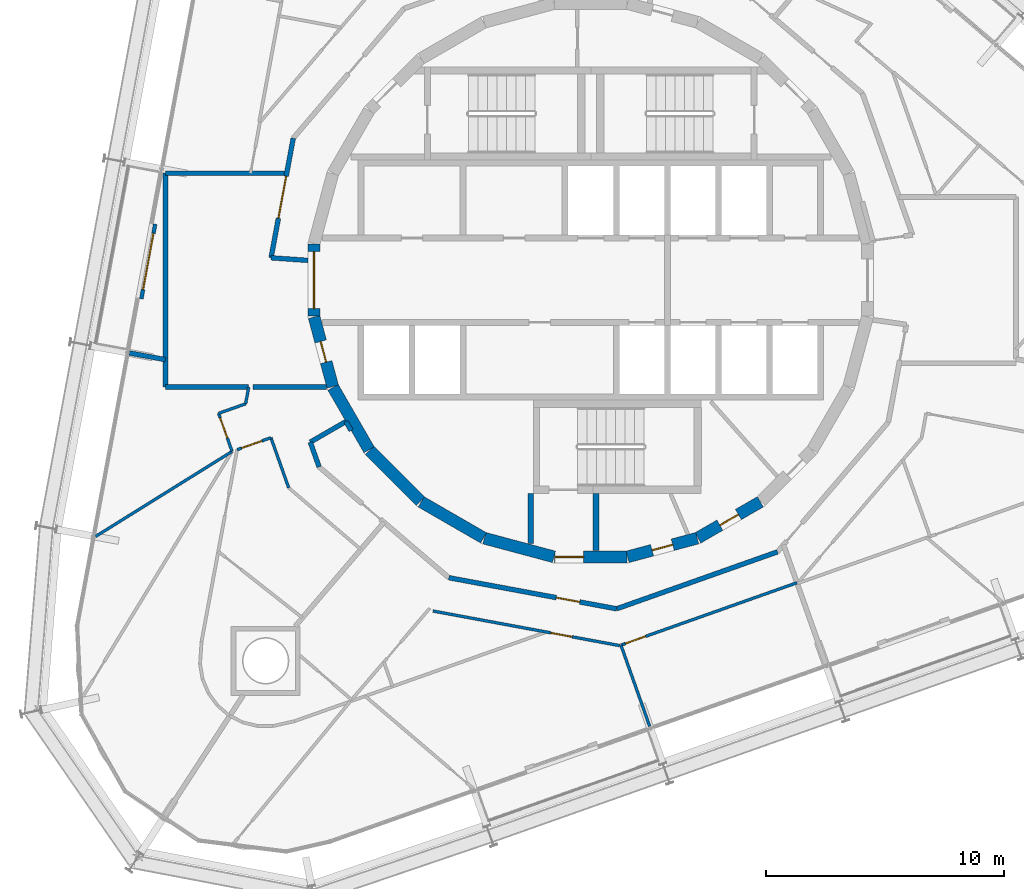
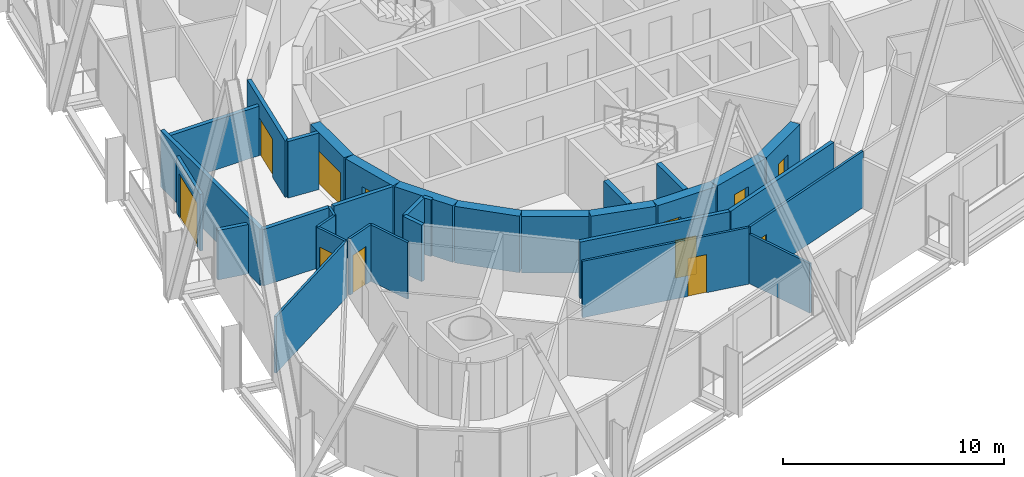
# One storey, part 11 of 17: 33 walls, 12 doors, 12 openings.
"""IFC4 building model written with IfcOpenShell, lengths in metres."""

from ifc_helpers import new_model, si_unit, direction, frame, frame_2d, origin, place, context, subcontext, project, spatial, rectangle, extrude, material, layer, layer_set, type_object, element, fill, save


model = new_model("IFC4")

# Units and contexts
model_context = context("Model", 3, precision=1e-05, world=origin(), true_north=direction((0.0, 1.0)))
body_context = subcontext(model_context, "Body", "Model", "MODEL_VIEW")
ifc_project = project(units=[si_unit("LENGTHUNIT", "METRE"), si_unit("AREAUNIT", "SQUARE_METRE"), si_unit("VOLUMEUNIT", "CUBIC_METRE"), si_unit("PLANEANGLEUNIT", "RADIAN"), si_unit("MASSUNIT", "GRAM", prefix="KILO")], contexts=[model_context])

# Site, building, storey
site_placement = place(None, origin())
site = spatial("IfcSite", under=ifc_project, at=site_placement, CompositionType="ELEMENT")
building_placement = place(site_placement, origin())
building = spatial("IfcBuilding", under=site, at=building_placement, Name="Spindle Arch Residences", CompositionType="ELEMENT")
storey_placement = place(building_placement, frame((0.0, 0.0, 165.699951171875)))
storey = spatial("IfcBuildingStorey", under=building, at=storey_placement, Name="L41", CompositionType="ELEMENT", Elevation=165.699951171875)

# Wall, opening, door
ifc_material_1 = material(Name="Concrete C50/60", Category="concrete")
ifc_layer_1 = layer(ifc_material_1, 0.5)
ifc_layer_set_1 = layer_set([ifc_layer_1], Name="Core outline wall 500")
wall_type_1 = type_object("IfcWallType", Name="Core outline wall 500", PredefinedType="SHEAR", material=ifc_layer_set_1)
wall_1_placement = place(storey_placement, frame((1.5498046875, -11.642822265625, 0.0), z_axis=(0.0, 0.0, 1.0), x_axis=(0.965948410781, 0.258734743916, 0.0)))
wall_1 = element("IfcWall", 1, at=wall_1_placement, inside=storey, type_object=wall_type_1, Name="Core outline wall 1", PredefinedType="SHEAR", context=body_context, shape_type="SweptSolid", body=[
    extrude(rectangle(XDim=3.03271484375, YDim=0.5, at=frame_2d((1.516357421875, 0.0))), origin(), (0.0, 0.0, 1.0), 3.1201171875),
])
opening_1_placement = place(wall_1_placement, frame((1.06640625, 0.0, 0.0)))
opening_1 = element("IfcOpeningElement", 2, at=opening_1_placement, cuts=wall_1, Name="Opening R4B0-WD07", PredefinedType="OPENING", context=body_context, shape_type="SweptSolid", body=[
    extrude(rectangle(XDim=0.89990234375, YDim=2.10009765625, at=frame_2d((0.449951171875, 1.050048828125))), frame((0.0, 0.260009765625, 0.0), z_axis=(0.0, -1.0, 0.0), x_axis=(1.0, 0.0, 0.0)), (0.0, 0.0, 1.0), 0.52001953125),
])
ifc_material_2 = material(Name="Steel, fire-resisting door", Category="steel")
door_type_1 = type_object("IfcDoorType", Name="Service room door 900x2100", OperationType="SINGLE_SWING_LEFT", PredefinedType="DOOR", material=ifc_material_2)
door_1_placement = place(opening_1_placement, origin())
door_1 = element("IfcDoor", 3, at=door_1_placement, inside=storey, type_object=door_type_1, Name="Service room door R4B0-WD07", OperationType="SINGLE_SWING_LEFT", OverallHeight=2.10009765625, OverallWidth=0.89990234375, PredefinedType="DOOR", context=body_context, shape_type="SweptSolid", body=[
    extrude(rectangle(XDim=0.89990234375, YDim=2.10009765625, at=frame_2d((0.449951171875, 1.050048828125))), frame((0.0, 0.02490234375, 0.0), z_axis=(0.0, -1.0, 0.0), x_axis=(1.0, 0.0, 0.0)), (0.0, 0.0, 1.0), 0.050048828125),
])
fill(opening_1, door_1)

wall_2_placement = place(storey_placement, frame((4.510498046875, -10.84521484375, 0.0), z_axis=(0.0, 0.0, 1.0), x_axis=(0.865975092491, 0.500087131594, 0.0)))
wall_2 = element("IfcWall", 4, at=wall_2_placement, inside=storey, type_object=wall_type_1, Name="Core outline wall 2", PredefinedType="SHEAR", context=body_context, shape_type="SweptSolid", body=[
    extrude(rectangle(XDim=3.03271484375, YDim=0.5, at=frame_2d((1.516357421875, 0.0))), origin(), (0.0, 0.0, 1.0), 3.1201171875),
])
opening_2_placement = place(wall_2_placement, frame((1.06640625, 0.0, 0.0)))
opening_2 = element("IfcOpeningElement", 5, at=opening_2_placement, cuts=wall_2, Name="Opening R4B0-WD08", PredefinedType="OPENING", context=body_context, shape_type="SweptSolid", body=[
    extrude(rectangle(XDim=0.89990234375, YDim=2.10009765625, at=frame_2d((0.449951171875, 1.050048828125))), frame((0.0, 0.260009765625, 0.0), z_axis=(0.0, -1.0, 0.0), x_axis=(1.0, 0.0, 0.0)), (0.0, 0.0, 1.0), 0.52001953125),
])
door_2_placement = place(opening_2_placement, origin())
door_2 = element("IfcDoor", 6, at=door_2_placement, inside=storey, type_object=door_type_1, Name="Service room door R4B0-WD08", OperationType="SINGLE_SWING_RIGHT", OverallHeight=2.10009765625, OverallWidth=0.89990234375, PredefinedType="DOOR", context=body_context, shape_type="SweptSolid", body=[
    extrude(rectangle(XDim=0.89990234375, YDim=2.10009765625, at=frame_2d((0.449951171875, 1.050048828125))), frame((0.0, 0.02490234375, 0.0), z_axis=(0.0, -1.0, 0.0), x_axis=(1.0, 0.0, 0.0)), (0.0, 0.0, 1.0), 0.050048828125),
])
fill(opening_2, door_2)

wall_3_placement = place(storey_placement, frame((-11.647216796875, 1.516357421875, 0.0), z_axis=(0.0, 0.0, 1.0), x_axis=(0.0, -1.0, 0.0)))
wall_3 = element("IfcWall", 7, at=wall_3_placement, inside=storey, type_object=wall_type_1, Name="Core outline wall 18", PredefinedType="SHEAR", context=body_context, shape_type="SweptSolid", body=[
    extrude(rectangle(XDim=3.03271484375, YDim=0.5, at=frame_2d((1.516357421875, 0.0))), origin(), (0.0, 0.0, 1.0), 3.1201171875),
])
opening_3_placement = place(wall_3_placement, frame((0.31640625, 0.0, 0.0)))
opening_3 = element("IfcOpeningElement", 8, at=opening_3_placement, cuts=wall_3, Name="Opening R4B0-LE01", PredefinedType="OPENING", context=body_context, shape_type="SweptSolid", body=[
    extrude(rectangle(XDim=2.39990234375, YDim=2.10009765625, at=frame_2d((1.199951171875, 1.050048828125))), frame((0.0, 0.260009765625, 0.0), z_axis=(0.0, -1.0, 0.0), x_axis=(1.0, 0.0, 0.0)), (0.0, 0.0, 1.0), 0.52001953125),
])
ifc_material_3 = material(Name="Steel, fire-resisting door", Category="steel")
door_type_2 = type_object("IfcDoorType", Name="Lift lobby entrance door 2400x2100", OperationType="DOUBLE_DOOR_SINGLE_SWING", PredefinedType="DOOR", material=ifc_material_3)
door_3_placement = place(opening_3_placement, origin())
door_3 = element("IfcDoor", 9, at=door_3_placement, inside=storey, type_object=door_type_2, Name="Lift lobby entrance door R4B0-LE01", OperationType="DOUBLE_DOOR_SINGLE_SWING", OverallHeight=2.10009765625, OverallWidth=2.39990234375, PredefinedType="DOOR", context=body_context, shape_type="SweptSolid", body=[
    extrude(rectangle(XDim=2.39990234375, YDim=2.10009765625, at=frame_2d((1.199951171875, 1.050048828125))), frame((0.0, 0.02490234375, 0.0), z_axis=(0.0, -1.0, 0.0), x_axis=(1.0, 0.0, 0.0)), (0.0, 0.0, 1.0), 0.050048828125),
])
fill(opening_3, door_3)

wall_4_placement = place(storey_placement, frame((-11.642822265625, -1.5498046875, 0.0), z_axis=(0.0, 0.0, 1.0), x_axis=(0.258734743916, -0.965948410781, 0.0)))
wall_4 = element("IfcWall", 10, at=wall_4_placement, inside=storey, type_object=wall_type_1, Name="Core outline wall 19", PredefinedType="SHEAR", context=body_context, shape_type="SweptSolid", body=[
    extrude(rectangle(XDim=3.03271484375, YDim=0.5, at=frame_2d((1.516357421875, 0.0))), origin(), (0.0, 0.0, 1.0), 3.1201171875),
])
opening_4_placement = place(wall_4_placement, frame((1.06640625, 0.0, 0.0)))
opening_4 = element("IfcOpeningElement", 11, at=opening_4_placement, cuts=wall_4, Name="Opening R4B0-WD09", PredefinedType="OPENING", context=body_context, shape_type="SweptSolid", body=[
    extrude(rectangle(XDim=0.89990234375, YDim=2.10009765625, at=frame_2d((0.449951171875, 1.050048828125))), frame((0.0, 0.260009765625, 0.0), z_axis=(0.0, -1.0, 0.0), x_axis=(1.0, 0.0, 0.0)), (0.0, 0.0, 1.0), 0.52001953125),
])
door_4_placement = place(opening_4_placement, origin())
door_4 = element("IfcDoor", 12, at=door_4_placement, inside=storey, type_object=door_type_1, Name="Service room door R4B0-WD09", OperationType="SINGLE_SWING_LEFT", OverallHeight=2.10009765625, OverallWidth=0.89990234375, PredefinedType="DOOR", context=body_context, shape_type="SweptSolid", body=[
    extrude(rectangle(XDim=0.89990234375, YDim=2.10009765625, at=frame_2d((0.449951171875, 1.050048828125))), frame((0.0, 0.02490234375, 0.0), z_axis=(0.0, -1.0, 0.0), x_axis=(1.0, 0.0, 0.0)), (0.0, 0.0, 1.0), 0.050048828125),
])
fill(opening_4, door_4)

# Walls
wall_5_placement = place(storey_placement, frame((-10.84521484375, -4.510498046875, 0.0), z_axis=(0.0, 0.0, 1.0), x_axis=(0.500087131594, -0.865975092491, 0.0)))
element("IfcWall", 13, at=wall_5_placement, inside=storey, type_object=wall_type_1, Name="Core outline wall 20", PredefinedType="SHEAR", context=body_context, shape_type="SweptSolid", body=[
    extrude(rectangle(XDim=3.03271484375, YDim=0.5, at=frame_2d((1.516357421875, 0.0))), origin(), (0.0, 0.0, 1.0), 3.1201171875),
])
wall_6_placement = place(storey_placement, frame((-9.30810546875, -7.163818359375, 0.0), z_axis=(0.0, 0.0, 1.0), x_axis=(0.707106781187, -0.707106781187, 0.0)))
element("IfcWall", 14, at=wall_6_placement, inside=storey, type_object=wall_type_1, Name="Core outline wall 21", PredefinedType="SHEAR", context=body_context, shape_type="SweptSolid", body=[
    extrude(rectangle(XDim=3.032470703125, YDim=0.5, at=frame_2d((1.51611328125, 0.0))), origin(), (0.0, 0.0, 1.0), 3.1201171875),
])
for number, where, z_axis, x_axis, name in (
    (15, (-7.13671875, -9.32861328125, 0.0), (0.0, 0.0, 1.0), (0.865975092491, -0.500087131594, 0.0), "Core outline wall 22"),
    (16, (-4.479248046875, -10.858154296875, 0.0), (0.0, 0.0, 1.0), (0.965948410781, -0.258734743916, 0.0), "Core outline wall 23"),
):
    element("IfcWall", number, at=place(storey_placement, frame(where, z_axis=z_axis, x_axis=x_axis)), inside=storey, type_object=wall_type_1, Name=name, PredefinedType="SHEAR", context=body_context, shape_type="SweptSolid", body=[
        extrude(rectangle(XDim=3.03271484375, YDim=0.5, at=frame_2d((1.516357421875, 0.0))), origin(), (0.0, 0.0, 1.0), 3.1201171875),
    ])

# Wall, opening, door
wall_7_placement = place(storey_placement, frame((-1.516357421875, -11.647216796875, 0.0), z_axis=(0.0, 0.0, 1.0), x_axis=(1.0, 0.0, 0.0)))
wall_7 = element("IfcWall", 17, at=wall_7_placement, inside=storey, type_object=wall_type_1, Name="Core outline wall 24", PredefinedType="SHEAR", context=body_context, shape_type="SweptSolid", body=[
    extrude(rectangle(XDim=3.03271484375, YDim=0.5, at=frame_2d((1.516357421875, 0.0))), origin(), (0.0, 0.0, 1.0), 3.1201171875),
])
opening_5_placement = place(wall_7_placement, frame((0.016357421875, 0.0, 0.0)))
opening_5 = element("IfcOpeningElement", 18, at=opening_5_placement, cuts=wall_7, Name="Opening R4B0-AD03", PredefinedType="OPENING", context=body_context, shape_type="SweptSolid", body=[
    extrude(rectangle(XDim=1.199951171875, YDim=2.10009765625, at=frame_2d((0.60009765625, 1.050048828125))), frame((0.0, 0.260009765625, 0.0), z_axis=(0.0, -1.0, 0.0), x_axis=(1.0, 0.0, 0.0)), (0.0, 0.0, 1.0), 0.52001953125),
])
ifc_material_4 = material(Name="Steel, fire-resisting door", Category="steel")
door_type_3 = type_object("IfcDoorType", Name="Stair airlock door 1200x2100", OperationType="SINGLE_SWING_LEFT", PredefinedType="DOOR", material=ifc_material_4)
door_5_placement = place(opening_5_placement, origin())
door_5 = element("IfcDoor", 19, at=door_5_placement, inside=storey, type_object=door_type_3, Name="Stair airlock door R4B0-AD03", OperationType="SINGLE_SWING_RIGHT", OverallHeight=2.10009765625, OverallWidth=1.199951171875, PredefinedType="DOOR", context=body_context, shape_type="SweptSolid", body=[
    extrude(rectangle(XDim=1.199951171875, YDim=2.10009765625, at=frame_2d((0.60009765625, 1.050048828125))), frame((0.0, 0.02490234375, 0.0), z_axis=(0.0, -1.0, 0.0), x_axis=(1.0, 0.0, 0.0)), (0.0, 0.0, 1.0), 0.050048828125),
])
fill(opening_5, door_5)

# Walls
ifc_material_5 = material(Name="Calcium silicate block, plastered")
ifc_layer_2 = layer(ifc_material_5, 0.199951171875)
ifc_layer_set_2 = layer_set([ifc_layer_2], Name="Corridor wall 200")
wall_type_2 = type_object("IfcWallType", Name="Corridor wall 200", PredefinedType="STANDARD", material=ifc_layer_set_2)
wall_8_placement = place(storey_placement, frame((-10.303466796875, -5.94873046875, 0.0), z_axis=(0.0, 0.0, 1.0), x_axis=(-0.866021168401, -0.500007335828, 0.0)))
element("IfcWall", 20, at=wall_8_placement, inside=storey, type_object=wall_type_2, Name="Corridor wall R4B0-W014", PredefinedType="STANDARD", context=body_context, shape_type="SweptSolid", body=[
    extrude(rectangle(XDim=1.73095703125, YDim=0.199951171875, at=frame_2d((0.865478515625, 0.0))), origin(), (0.0, 0.0, 1.0), 3.1201171875),
])
wall_9_placement = place(storey_placement, frame((-11.802490234375, -6.814208984375, 0.0), z_axis=(0.0, 0.0, 1.0), x_axis=(0.333904297771, -0.942606980629, 0.0)))
element("IfcWall", 21, at=wall_9_placement, inside=storey, type_object=wall_type_2, Name="Corridor wall R4B0-W015", PredefinedType="STANDARD", context=body_context, shape_type="SweptSolid", body=[
    extrude(rectangle(XDim=1.10693359375, YDim=0.199951171875, at=frame_2d((0.553466796875, 0.0))), origin(), (0.0, 0.0, 1.0), 3.1201171875),
])
wall_10_placement = place(storey_placement, frame((-10.303466796875, -5.94873046875, 0.0), z_axis=(0.0, 0.0, 1.0), x_axis=(0.499980071345, -0.866036909293, 0.0)))
element("IfcWall", 22, at=wall_10_placement, inside=storey, type_object=wall_type_2, Name="Corridor wall R4B0-W017", PredefinedType="STANDARD", context=body_context, shape_type="SweptSolid", body=[
    extrude(rectangle(XDim=0.4375, YDim=0.199951171875, at=frame_2d((0.21875, 0.0))), origin(), (0.0, 0.0, 1.0), 3.1201171875),
])

# Wall, opening, door
wall_11_placement = place(storey_placement, frame((-5.972412109375, -12.521240234375, 0.0), z_axis=(0.0, 0.0, 1.0), x_axis=(0.983256068163, -0.18222926335, 0.0)))
wall_11 = element("IfcWall", 23, at=wall_11_placement, inside=storey, type_object=wall_type_2, Name="Corridor wall R4B0-W018", PredefinedType="STANDARD", context=body_context, shape_type="SweptSolid", body=[
    extrude(rectangle(XDim=7.180908203125, YDim=0.199951171875, at=frame_2d((3.59033203125, 0.0))), origin(), (0.0, 0.0, 1.0), 3.1201171875),
])
opening_6_placement = place(wall_11_placement, frame((4.60009765625, 0.0, 0.0)))
opening_6 = element("IfcOpeningElement", 24, at=opening_6_placement, cuts=wall_11, Name="Opening R4B0-FD05", PredefinedType="OPENING", context=body_context, shape_type="SweptSolid", body=[
    extrude(rectangle(XDim=1.0, YDim=2.10009765625, at=frame_2d((0.5, 1.050048828125))), frame((0.0, 0.10986328125, 0.0), z_axis=(0.0, -1.0, 0.0), x_axis=(1.0, 0.0, 0.0)), (0.0, 0.0, 1.0), 0.219970703125),
])
ifc_material_6 = material(Name="Timber, fire-resisting door set", Category="wood")
door_type_4 = type_object("IfcDoorType", Name="Flat entrance door 1000x2100", OperationType="NOTDEFINED", PredefinedType="DOOR", material=ifc_material_6)
door_6_placement = place(opening_6_placement, origin())
door_6 = element("IfcDoor", 25, at=door_6_placement, inside=storey, type_object=door_type_4, Name="Flat entrance door R4B0-FD05", OperationType="SINGLE_SWING_LEFT", OverallHeight=2.10009765625, OverallWidth=1.0, PredefinedType="DOOR", context=body_context, shape_type="SweptSolid", body=[
    extrude(rectangle(XDim=1.0, YDim=2.10009765625, at=frame_2d((0.5, 1.050048828125))), frame((0.0, 0.02490234375, 0.0), z_axis=(0.0, -1.0, 0.0), x_axis=(1.0, 0.0, 0.0)), (0.0, 0.0, 1.0), 0.050048828125),
])
fill(opening_6, door_6)

# Walls
wall_12_placement = place(storey_placement, frame((1.08837890625, -13.829833984375, 0.0), z_axis=(0.0, 0.0, 1.0), x_axis=(0.942648397945, 0.333787354241, 0.0)))
element("IfcWall", 26, at=wall_12_placement, inside=storey, type_object=wall_type_2, Name="Corridor wall R4B0-W019", PredefinedType="STANDARD", context=body_context, shape_type="SweptSolid", body=[
    extrude(rectangle(XDim=7.18115234375, YDim=0.199951171875, at=frame_2d((3.590576171875, 0.0))), origin(), (0.0, 0.0, 1.0), 3.1201171875),
])
ifc_material_7 = material(Name="Plasterboard on steel studs", Category="steel")
ifc_layer_3 = layer(ifc_material_7, 0.1201171875)
ifc_layer_set_3 = layer_set([ifc_layer_3], Name="Flat partition 120")
wall_type_3 = type_object("IfcWallType", Name="Flat partition 120", PredefinedType="PARTITIONING", material=ifc_layer_set_3)
wall_13_placement = place(storey_placement, frame((-14.39404296875, -4.5, 0.0), z_axis=(0.0, 0.0, 1.0), x_axis=(-0.182101494457, -0.983279739299, 0.0)))
element("IfcWall", 27, at=wall_13_placement, inside=storey, type_object=wall_type_3, Name="Flat partition R4B0-W084", PredefinedType="PARTITIONING", context=body_context, shape_type="SweptSolid", body=[
    extrude(rectangle(XDim=0.714599609375, YDim=0.1201171875, at=frame_2d((0.357421875, 0.0))), origin(), (0.0, 0.0, 1.0), 3.1201171875),
])
wall_14_placement = place(storey_placement, frame((-14.524169921875, -5.20263671875, 0.0), z_axis=(0.0, 0.0, 1.0), x_axis=(-0.942657704592, -0.333761070187, 0.0)))
element("IfcWall", 28, at=wall_14_placement, inside=storey, type_object=wall_type_3, Name="Flat partition R4B0-W085", PredefinedType="PARTITIONING", context=body_context, shape_type="SweptSolid", body=[
    extrude(rectangle(XDim=1.207763671875, YDim=0.1201171875, at=frame_2d((0.60400390625, 0.0))), origin(), (0.0, 0.0, 1.0), 3.1201171875),
])

# Wall, opening, door
wall_15_placement = place(storey_placement, frame((-15.66259765625, -5.605712890625, 0.0), z_axis=(0.0, 0.0, 1.0), x_axis=(0.333751436931, -0.942661115325, 0.0)))
wall_15 = element("IfcWall", 29, at=wall_15_placement, inside=storey, type_object=wall_type_3, Name="Flat partition R4B0-W086", PredefinedType="PARTITIONING", context=body_context, shape_type="SweptSolid", body=[
    extrude(rectangle(XDim=1.699951171875, YDim=0.1201171875, at=frame_2d((0.85009765625, 0.0))), origin(), (0.0, 0.0, 1.0), 3.1201171875),
])
opening_7_placement = place(wall_15_placement, frame((0.199951171875, 0.0, 0.0)))
opening_7 = element("IfcOpeningElement", 30, at=opening_7_placement, cuts=wall_15, Name="Opening R4B0-ID17", PredefinedType="OPENING", context=body_context, shape_type="SweptSolid", body=[
    extrude(rectangle(XDim=0.89990234375, YDim=2.10009765625, at=frame_2d((0.449951171875, 1.050048828125))), frame((0.0, 0.070068359375, 0.0), z_axis=(0.0, -1.0, 0.0), x_axis=(1.0, 0.0, 0.0)), (0.0, 0.0, 1.0), 0.14013671875),
])
ifc_material_8 = material(Name="Timber door set", Category="wood")
door_type_5 = type_object("IfcDoorType", Name="Room door 900x2100", OperationType="NOTDEFINED", PredefinedType="DOOR", material=ifc_material_8)
door_7_placement = place(opening_7_placement, origin())
door_7 = element("IfcDoor", 31, at=door_7_placement, inside=storey, type_object=door_type_5, Name="Room door R4B0-ID17", OperationType="SINGLE_SWING_RIGHT", OverallHeight=2.10009765625, OverallWidth=0.89990234375, PredefinedType="DOOR", context=body_context, shape_type="SweptSolid", body=[
    extrude(rectangle(XDim=0.89990234375, YDim=2.10009765625, at=frame_2d((0.449951171875, 1.050048828125))), frame((0.0, 0.02490234375, 0.0), z_axis=(0.0, -1.0, 0.0), x_axis=(1.0, 0.0, 0.0)), (0.0, 0.0, 1.0), 0.050048828125),
])
fill(opening_7, door_7)

wall_16_placement = place(storey_placement, frame((-14.882080078125, -7.1328125, 0.0), z_axis=(0.0, 0.0, 1.0), x_axis=(0.942631466676, 0.333835165961, 0.0)))
wall_16 = element("IfcWall", 32, at=wall_16_placement, inside=storey, type_object=wall_type_3, Name="Flat partition R4B0-W087", PredefinedType="PARTITIONING", context=body_context, shape_type="SweptSolid", body=[
    extrude(rectangle(XDim=1.509521484375, YDim=0.1201171875, at=frame_2d((0.7548828125, 0.0))), origin(), (0.0, 0.0, 1.0), 3.1201171875),
])
opening_8_placement = place(wall_16_placement, frame((0.199951171875, 0.0, 0.0)))
opening_8 = element("IfcOpeningElement", 33, at=opening_8_placement, cuts=wall_16, Name="Opening R4B0-ID18", PredefinedType="OPENING", context=body_context, shape_type="SweptSolid", body=[
    extrude(rectangle(XDim=0.89990234375, YDim=2.10009765625, at=frame_2d((0.449951171875, 1.050048828125))), frame((0.0, 0.070068359375, 0.0), z_axis=(0.0, -1.0, 0.0), x_axis=(1.0, 0.0, 0.0)), (0.0, 0.0, 1.0), 0.14013671875),
])
door_8_placement = place(opening_8_placement, origin())
door_8 = element("IfcDoor", 34, at=door_8_placement, inside=storey, type_object=door_type_5, Name="Room door R4B0-ID18", OperationType="SINGLE_SWING_LEFT", OverallHeight=2.10009765625, OverallWidth=0.89990234375, PredefinedType="DOOR", context=body_context, shape_type="SweptSolid", body=[
    extrude(rectangle(XDim=0.89990234375, YDim=2.10009765625, at=frame_2d((0.449951171875, 1.050048828125))), frame((0.0, 0.02490234375, 0.0), z_axis=(0.0, -1.0, 0.0), x_axis=(1.0, 0.0, 0.0)), (0.0, 0.0, 1.0), 0.050048828125),
])
fill(opening_8, door_8)

# Walls
wall_17_placement = place(storey_placement, frame((-13.459228515625, -6.62890625, 0.0), z_axis=(0.0, 0.0, 1.0), x_axis=(0.333790565501, -0.942647260847, 0.0)))
element("IfcWall", 35, at=wall_17_placement, inside=storey, type_object=wall_type_3, Name="Flat partition R4B0-W088", PredefinedType="PARTITIONING", context=body_context, shape_type="SweptSolid", body=[
    extrude(rectangle(XDim=2.236572265625, YDim=0.1201171875, at=frame_2d((1.1181640625, 0.0))), origin(), (0.0, 0.0, 1.0), 3.1201171875),
])
wall_18_placement = place(storey_placement, frame((-20.8486328125, -10.79150390625, 0.0), z_axis=(0.0, 0.0, 1.0), x_axis=(0.848835001009, 0.528657867682, 0.0)))
element("IfcWall", 36, at=wall_18_placement, inside=storey, type_object=wall_type_3, Name="Flat partition R4B0-W090", PredefinedType="PARTITIONING", context=body_context, shape_type="SweptSolid", body=[
    extrude(rectangle(XDim=6.778076171875, YDim=0.1201171875, at=frame_2d((3.38916015625, 0.0))), origin(), (0.0, 0.0, 1.0), 3.1201171875),
])

# Wall, opening, door
wall_19_placement = place(storey_placement, frame((-6.640869140625, -13.9228515625, 0.0), z_axis=(0.0, 0.0, 1.0), x_axis=(0.983250157272, -0.182261153912, 0.0)))
wall_19 = element("IfcWall", 37, at=wall_19_placement, inside=storey, type_object=wall_type_3, Name="Flat partition R4B0-W101", PredefinedType="PARTITIONING", context=body_context, shape_type="SweptSolid", body=[
    extrude(rectangle(XDim=7.98486328125, YDim=0.1201171875, at=frame_2d((3.992431640625, 0.0))), origin(), (0.0, 0.0, 1.0), 3.1201171875),
])
opening_9_placement = place(wall_19_placement, frame((5.05078125, 0.0, 0.0)))
opening_9 = element("IfcOpeningElement", 38, at=opening_9_placement, cuts=wall_19, Name="Opening R4B0-ID22", PredefinedType="OPENING", context=body_context, shape_type="SweptSolid", body=[
    extrude(rectangle(XDim=0.89990234375, YDim=2.10009765625, at=frame_2d((0.449951171875, 1.050048828125))), frame((0.0, 0.070068359375, 0.0), z_axis=(0.0, -1.0, 0.0), x_axis=(1.0, 0.0, 0.0)), (0.0, 0.0, 1.0), 0.14013671875),
])
door_9_placement = place(opening_9_placement, origin())
door_9 = element("IfcDoor", 39, at=door_9_placement, inside=storey, type_object=door_type_5, Name="Room door R4B0-ID22", OperationType="SINGLE_SWING_LEFT", OverallHeight=2.10009765625, OverallWidth=0.89990234375, PredefinedType="DOOR", context=body_context, shape_type="SweptSolid", body=[
    extrude(rectangle(XDim=0.89990234375, YDim=2.10009765625, at=frame_2d((0.449951171875, 1.050048828125))), frame((0.0, 0.02490234375, 0.0), z_axis=(0.0, -1.0, 0.0), x_axis=(1.0, 0.0, 0.0)), (0.0, 0.0, 1.0), 0.050048828125),
])
fill(opening_9, door_9)

wall_20_placement = place(storey_placement, frame((1.26904296875, -15.357177734375, 0.0), z_axis=(0.0, 0.0, 1.0), x_axis=(0.942639442898, 0.333812643101, 0.0)))
wall_20 = element("IfcWall", 40, at=wall_20_placement, inside=storey, type_object=wall_type_3, Name="Flat partition R4B0-W102", PredefinedType="PARTITIONING", context=body_context, shape_type="SweptSolid", body=[
    extrude(rectangle(XDim=7.860107421875, YDim=0.1201171875, at=frame_2d((3.93017578125, 0.0))), origin(), (0.0, 0.0, 1.0), 3.1201171875),
])
opening_10_placement = place(wall_20_placement, frame((0.199951171875, 0.0, 0.0)))
opening_10 = element("IfcOpeningElement", 41, at=opening_10_placement, cuts=wall_20, Name="Opening R4B0-ID23", PredefinedType="OPENING", context=body_context, shape_type="SweptSolid", body=[
    extrude(rectangle(XDim=0.89990234375, YDim=2.10009765625, at=frame_2d((0.449951171875, 1.050048828125))), frame((0.0, 0.070068359375, 0.0), z_axis=(0.0, -1.0, 0.0), x_axis=(1.0, 0.0, 0.0)), (0.0, 0.0, 1.0), 0.14013671875),
])
door_10_placement = place(opening_10_placement, origin())
door_10 = element("IfcDoor", 42, at=door_10_placement, inside=storey, type_object=door_type_5, Name="Room door R4B0-ID23", OperationType="SINGLE_SWING_LEFT", OverallHeight=2.10009765625, OverallWidth=0.89990234375, PredefinedType="DOOR", context=body_context, shape_type="SweptSolid", body=[
    extrude(rectangle(XDim=0.89990234375, YDim=2.10009765625, at=frame_2d((0.449951171875, 1.050048828125))), frame((0.0, 0.02490234375, 0.0), z_axis=(0.0, -1.0, 0.0), x_axis=(1.0, 0.0, 0.0)), (0.0, 0.0, 1.0), 0.050048828125),
])
fill(opening_10, door_10)

# Walls
ifc_material_9 = material(Name="Plasterboard on steel studs", Category="steel")
ifc_layer_4 = layer(ifc_material_9, 0.1201171875)
ifc_layer_set_4 = layer_set([ifc_layer_4], Name="Flat partition 120 under beam 2730")
wall_type_4 = type_object("IfcWallType", Name="Flat partition 120 under beam 2730", PredefinedType="PARTITIONING", material=ifc_layer_set_4)
wall_21_placement = place(storey_placement, frame((2.481689453125, -18.78173828125, 0.0), z_axis=(0.0, 0.0, 1.0), x_axis=(-0.33379364943, 0.942646168825, 0.0)))
element("IfcWall", 43, at=wall_21_placement, inside=storey, type_object=wall_type_4, Name="Flat partition R4B0-W111", PredefinedType="PARTITIONING", context=body_context, shape_type="SweptSolid", body=[
    extrude(rectangle(XDim=3.6328125, YDim=0.1201171875, at=frame_2d((1.81640625, 0.0))), origin(), (0.0, 0.0, 1.0), 2.72998046875),
])
ifc_material_10 = material(Name="Calcium silicate block, plastered")
ifc_layer_5 = layer(ifc_material_10, 0.199951171875)
ifc_layer_set_5 = layer_set([ifc_layer_5], Name="Flat party wall 200 under beam 2730")
wall_type_5 = type_object("IfcWallType", Name="Flat party wall 200 under beam 2730", PredefinedType="STANDARD", material=ifc_layer_set_5)
wall_22_placement = place(storey_placement, frame((-19.416259765625, -3.06298828125, 0.0), z_axis=(0.0, 0.0, 1.0), x_axis=(0.983258901558, -0.182213974512, 0.0)))
element("IfcWall", 44, at=wall_22_placement, inside=storey, type_object=wall_type_5, Name="Flat party wall R4B0-W034", PredefinedType="STANDARD", context=body_context, shape_type="SweptSolid", body=[
    extrude(rectangle(XDim=1.542236328125, YDim=0.199951171875, at=frame_2d((0.77099609375, 0.0))), origin(), (0.0, 0.0, 1.0), 2.72998046875),
])

# Wall, opening, door
ifc_material_11 = material(Name="Non-combustible mineral wool insulated aluminium faced external wall (K0)", Category="aluminium")
ifc_layer_6 = layer(ifc_material_11, 0.159912109375)
ifc_layer_set_6 = layer_set([ifc_layer_6], Name="Insulated external wall panel 160")
wall_type_6 = type_object("IfcWallType", Name="Insulated external wall panel 160", PredefinedType="STANDARD", material=ifc_layer_set_6)
wall_23_placement = place(storey_placement, frame((-18.329833984375, 2.35986328125, 0.0), z_axis=(0.0, 0.0, 1.0), x_axis=(-0.18226136951, -0.983250117307, 0.0)))
wall_23 = element("IfcWall", 45, at=wall_23_placement, inside=storey, type_object=wall_type_6, Name="External wall L41 bay 15", PredefinedType="STANDARD", context=body_context, shape_type="SweptSolid", body=[
    extrude(rectangle(XDim=3.2001953125, YDim=0.159912109375, at=frame_2d((1.60009765625, 0.0))), origin(), (0.0, 0.0, 1.0), 3.1201171875),
])
opening_11_placement = place(wall_23_placement, frame((0.39990234375, 0.0, 0.0)))
opening_11 = element("IfcOpeningElement", 46, at=opening_11_placement, cuts=wall_23, Name="Opening BD15", PredefinedType="OPENING", context=body_context, shape_type="SweptSolid", body=[
    extrude(rectangle(XDim=2.39990234375, YDim=2.39990234375, at=frame_2d((1.199951171875, 1.199951171875))), frame((0.0, 0.08984375, 0.0), z_axis=(0.0, -1.0, 0.0), x_axis=(1.0, 0.0, 0.0)), (0.0, 0.0, 1.0), 0.179931640625),
])
ifc_material_12 = material(Name="Bronze aluminium frame, tinted double glazing", Category="aluminium")
door_type_6 = type_object("IfcDoorType", Name="Sliding glazed balcony door 2400x2400", OperationType="DOUBLE_DOOR_SLIDING", PredefinedType="DOOR", material=ifc_material_12)
door_11_placement = place(opening_11_placement, origin())
door_11 = element("IfcDoor", 47, at=door_11_placement, inside=storey, type_object=door_type_6, Name="Balcony door BD15", OperationType="DOUBLE_DOOR_SLIDING", OverallHeight=2.39990234375, OverallWidth=2.39990234375, PredefinedType="DOOR", context=body_context, shape_type="SweptSolid", body=[
    extrude(rectangle(XDim=2.39990234375, YDim=2.39990234375, at=frame_2d((1.199951171875, 1.199951171875))), frame((0.0, 0.02490234375, 0.0), z_axis=(0.0, -1.0, 0.0), x_axis=(1.0, 0.0, 0.0)), (0.0, 0.0, 1.0), 0.050048828125),
])
fill(opening_11, door_11)

ifc_material_13 = material(Name="Calcium silicate block, plastered")
ifc_layer_7 = layer(ifc_material_13, 0.199951171875)
ifc_layer_set_7 = layer_set([ifc_layer_7], Name="Lift lobby bay wall 200")
wall_type_7 = type_object("IfcWallType", Name="Lift lobby bay wall 200", PredefinedType="STANDARD", material=ifc_layer_set_7)
wall_24_placement = place(storey_placement, frame((-12.521240234375, 5.972412109375, 0.0), z_axis=(0.0, 0.0, 1.0), x_axis=(-0.182251559718, -0.983251935661, 0.0)))
wall_24 = element("IfcWall", 48, at=wall_24_placement, inside=storey, type_object=wall_type_7, Name="Lift lobby bay wall R4B0-W007", PredefinedType="STANDARD", context=body_context, shape_type="SweptSolid", body=[
    extrude(rectangle(XDim=5.1171875, YDim=0.199951171875, at=frame_2d((2.55859375, 0.0))), origin(), (0.0, 0.0, 1.0), 3.1201171875),
])
opening_12_placement = place(wall_24_placement, frame((1.62744140625, 0.0, 0.0)))
opening_12 = element("IfcOpeningElement", 49, at=opening_12_placement, cuts=wall_24, Name="Opening R4B0-LB01", PredefinedType="OPENING", context=body_context, shape_type="SweptSolid", body=[
    extrude(rectangle(XDim=1.800048828125, YDim=2.10009765625, at=frame_2d((0.89990234375, 1.050048828125))), frame((0.0, 0.10986328125, 0.0), z_axis=(0.0, -1.0, 0.0), x_axis=(1.0, 0.0, 0.0)), (0.0, 0.0, 1.0), 0.219970703125),
])
ifc_material_14 = material(Name="Steel, fire-resisting door", Category="steel")
door_type_7 = type_object("IfcDoorType", Name="Lift lobby bay door 1800x2100", OperationType="NOTDEFINED", PredefinedType="DOOR", material=ifc_material_14)
door_12_placement = place(opening_12_placement, origin())
door_12 = element("IfcDoor", 50, at=door_12_placement, inside=storey, type_object=door_type_7, Name="Lift lobby bay door R4B0-LB01", OperationType="DOUBLE_DOOR_SINGLE_SWING", OverallHeight=2.10009765625, OverallWidth=1.800048828125, PredefinedType="DOOR", context=body_context, shape_type="SweptSolid", body=[
    extrude(rectangle(XDim=1.800048828125, YDim=2.10009765625, at=frame_2d((0.89990234375, 1.050048828125))), frame((0.0, 0.02490234375, 0.0), z_axis=(0.0, -1.0, 0.0), x_axis=(1.0, 0.0, 0.0)), (0.0, 0.0, 1.0), 0.050048828125),
])
fill(opening_12, door_12)

# Walls
wall_25_placement = place(storey_placement, frame((-13.453857421875, 0.94091796875, 0.0), z_axis=(0.0, 0.0, 1.0), x_axis=(0.99755155062, -0.069934997354, 0.0)))
element("IfcWall", 51, at=wall_25_placement, inside=storey, type_object=wall_type_7, Name="Lift lobby bay wall R4B0-W008", PredefinedType="STANDARD", context=body_context, shape_type="SweptSolid", body=[
    extrude(rectangle(XDim=1.560546875, YDim=0.199951171875, at=frame_2d((0.7802734375, 0.0))), origin(), (0.0, 0.0, 1.0), 3.1201171875),
])
wall_26_placement = place(storey_placement, frame((-17.89990234375, 4.5, 0.0), z_axis=(0.0, 0.0, 1.0), x_axis=(0.0, -1.0, 0.0)))
element("IfcWall", 52, at=wall_26_placement, inside=storey, type_object=wall_type_7, Name="Lift lobby bay wall R4B0-W022", PredefinedType="STANDARD", context=body_context, shape_type="SweptSolid", body=[
    extrude(rectangle(XDim=9.0, YDim=0.199951171875, at=frame_2d((4.5, 0.0))), origin(), (0.0, 0.0, 1.0), 3.1201171875),
])
wall_27_placement = place(storey_placement, frame((-14.213134765625, -4.5, 0.0), z_axis=(0.0, 0.0, 1.0), x_axis=(1.0, 0.0, 0.0)))
element("IfcWall", 53, at=wall_27_placement, inside=storey, type_object=wall_type_7, Name="Lift lobby bay wall R4B0-W023", PredefinedType="STANDARD", context=body_context, shape_type="SweptSolid", body=[
    extrude(rectangle(XDim=3.101806640625, YDim=0.199951171875, at=frame_2d((1.55078125, 0.0))), origin(), (0.0, 0.0, 1.0), 3.1201171875),
])
wall_28_placement = place(storey_placement, frame((-17.89990234375, -4.5, 0.0), z_axis=(0.0, 0.0, 1.0), x_axis=(1.0, 0.0, 0.0)))
element("IfcWall", 54, at=wall_28_placement, inside=storey, type_object=wall_type_7, Name="Lift lobby bay wall R4B0-W024", PredefinedType="STANDARD", context=body_context, shape_type="SweptSolid", body=[
    extrude(rectangle(XDim=3.505859375, YDim=0.199951171875, at=frame_2d((1.7529296875, 0.0))), origin(), (0.0, 0.0, 1.0), 3.1201171875),
])
ifc_material_15 = material(Name="Calcium silicate block, plastered")
ifc_layer_8 = layer(ifc_material_15, 0.199951171875)
ifc_layer_set_8 = layer_set([ifc_layer_8], Name="Lift lobby bay wall 200 under beam 2730")
wall_type_8 = type_object("IfcWallType", Name="Lift lobby bay wall 200 under beam 2730", PredefinedType="STANDARD", material=ifc_layer_set_8)
wall_29_placement = place(storey_placement, frame((-12.794189453125, 4.5, 0.0), z_axis=(0.0, 0.0, 1.0), x_axis=(-1.0, 0.0, 0.0)))
element("IfcWall", 55, at=wall_29_placement, inside=storey, type_object=wall_type_8, Name="Lift lobby bay wall R4B0-W021", PredefinedType="STANDARD", context=body_context, shape_type="SweptSolid", body=[
    extrude(rectangle(XDim=5.105712890625, YDim=0.199951171875, at=frame_2d((2.552734375, 0.0))), origin(), (0.0, 0.0, 1.0), 2.72998046875),
])
ifc_material_16 = material(Name="Concrete C40/50", Category="concrete")
ifc_layer_9 = layer(ifc_material_16, 0.25)
ifc_layer_set_9 = layer_set([ifc_layer_9], Name="Stair airlock wall 250")
wall_type_9 = type_object("IfcWallType", Name="Stair airlock wall 250", PredefinedType="SHEAR", material=ifc_layer_set_9)
wall_30_placement = place(storey_placement, frame((-2.52490234375, -8.969970703125, 0.0), z_axis=(0.0, 0.0, 1.0), x_axis=(0.0, -1.0, 0.0)))
element("IfcWall", 56, at=wall_30_placement, inside=storey, type_object=wall_type_9, Name="Stair ST-3 airlock wall W", PredefinedType="SHEAR", context=body_context, shape_type="SweptSolid", body=[
    extrude(rectangle(XDim=2.110107421875, YDim=0.25, at=frame_2d((1.05517578125, 0.0))), origin(), (0.0, 0.0, 1.0), 3.1201171875),
])
wall_31_placement = place(storey_placement, frame((0.22509765625, -8.969970703125, 0.0), z_axis=(0.0, 0.0, 1.0), x_axis=(0.0, -1.0, 0.0)))
element("IfcWall", 57, at=wall_31_placement, inside=storey, type_object=wall_type_9, Name="Stair ST-3 airlock wall E", PredefinedType="SHEAR", context=body_context, shape_type="SweptSolid", body=[
    extrude(rectangle(XDim=2.409912109375, YDim=0.25, at=frame_2d((1.205078125, 0.0))), origin(), (0.0, 0.0, 1.0), 3.1201171875),
])

save(model, "model.ifc")
